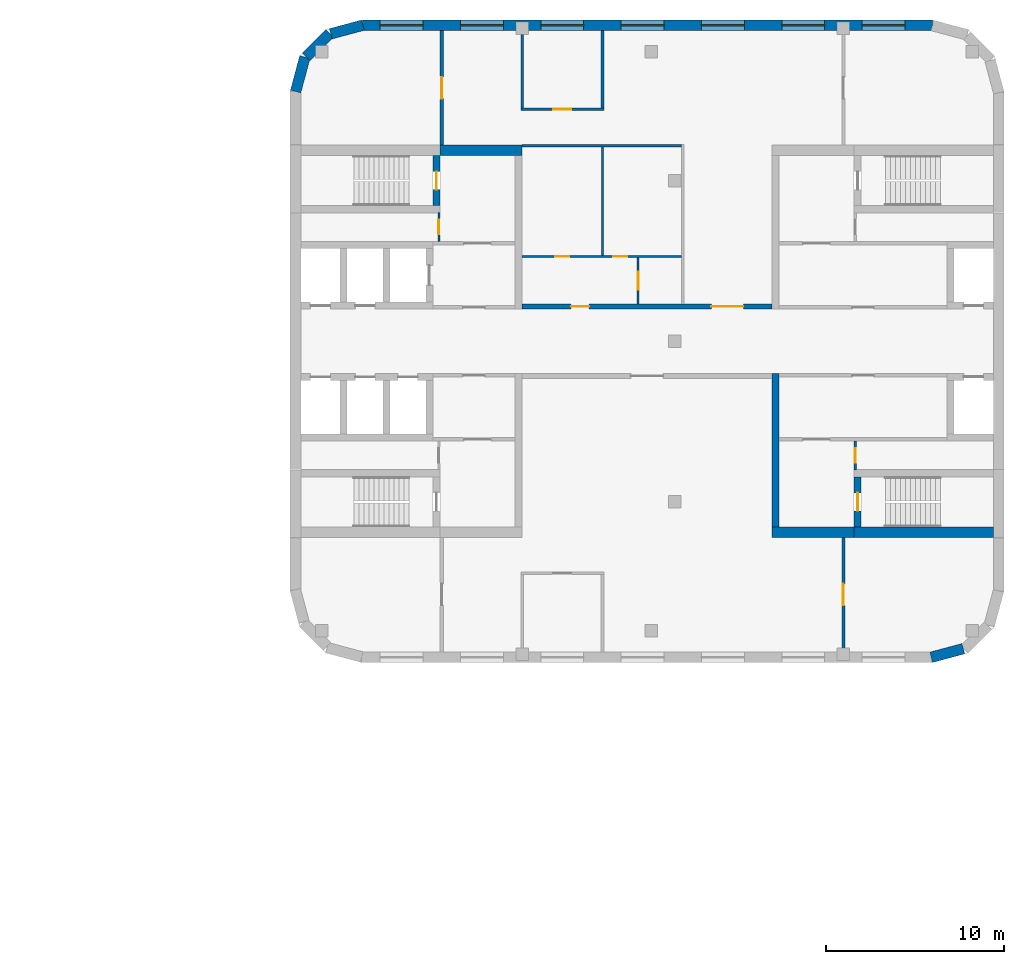
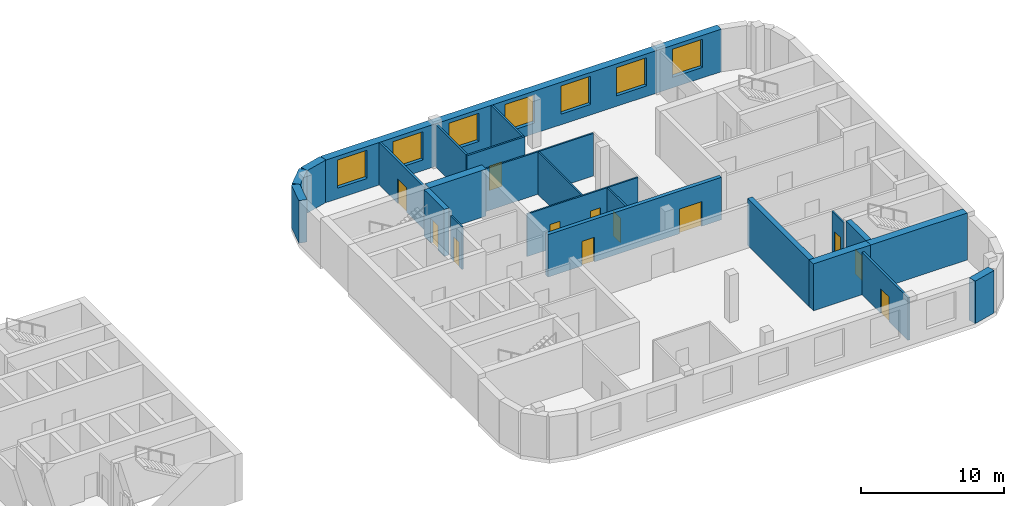
# One storey, part 8 of 12: 23 walls, 12 doors, 7 windows, 19 openings.
"""IFC4 building model written with IfcOpenShell, lengths in metres."""

from ifc_helpers import new_model, si_unit, direction, frame, frame_2d, origin, place, context, subcontext, project, spatial, rectangle, extrude, material, layer, layer_set, type_object, element, fill, save


model = new_model("IFC4")

# Units and contexts
model_context = context("Model", 3, precision=1e-05, world=origin(), true_north=direction((0.0, 1.0)))
body_context = subcontext(model_context, "Body", "Model", "MODEL_VIEW")
ifc_project = project(units=[si_unit("LENGTHUNIT", "METRE"), si_unit("AREAUNIT", "SQUARE_METRE"), si_unit("VOLUMEUNIT", "CUBIC_METRE"), si_unit("PLANEANGLEUNIT", "RADIAN"), si_unit("MASSUNIT", "GRAM", prefix="KILO")], contexts=[model_context])

# Site, building, storey
site_placement = place(None, origin())
site = spatial("IfcSite", under=ifc_project, at=site_placement, CompositionType="ELEMENT")
building_placement = place(site_placement, origin())
building = spatial("IfcBuilding", under=site, at=building_placement, Name="Skarvind Civic Tower", CompositionType="ELEMENT")
storey_placement = place(building_placement, frame((0.0, 0.0, 85.0)))
storey = spatial("IfcBuildingStorey", under=building, at=storey_placement, Name="L19", CompositionType="ELEMENT", Elevation=85.0)

# Wall, opening, door
ifc_material_1 = material(Name="Acoustic gypsum board on steel studs", Category="steel")
ifc_layer_1 = layer(ifc_material_1, 0.175048828125)
ifc_layer_set_1 = layer_set([ifc_layer_1], Name="ACOUSTIC MEETING-ROOM PARTITION 175")
wall_type_1 = type_object("IfcWallType", Name="ACOUSTIC MEETING-ROOM PARTITION 175", PredefinedType="PARTITIONING", material=ifc_layer_set_1)
wall_1_placement = place(storey_placement, frame((135.5, 145.39990234375, 0.0), z_axis=(0.0, 0.0, 1.0), x_axis=(0.0, -1.0, 0.0)))
wall_1 = element("IfcWall", 1, at=wall_1_placement, inside=storey, type_object=wall_type_1, Name="Partition 19.002", PredefinedType="PARTITIONING", context=body_context, shape_type="SweptSolid", body=[
    extrude(rectangle(XDim=6.39990234375, YDim=0.175048828125, at=frame_2d((3.199951171875, 0.0))), origin(), (0.0, 0.0, 1.0), 3.625),
])
opening_1_placement = place(wall_1_placement, frame((2.60009765625, 0.0, 0.0)))
opening_1 = element("IfcOpeningElement", 2, at=opening_1_placement, cuts=wall_1, Name="Opening L19-D107", PredefinedType="OPENING", context=body_context, shape_type="SweptSolid", body=[
    extrude(rectangle(XDim=1.199951171875, YDim=2.10009765625, at=frame_2d((0.60009765625, 1.050048828125))), frame((0.0, 0.097412109375, 0.0), z_axis=(0.0, -1.0, 0.0), x_axis=(1.0, 0.0, 0.0)), (0.0, 0.0, 1.0), 0.195068359375),
])
ifc_material_2 = material(Name="Timber door leaf", Category="wood")
door_type_1 = type_object("IfcDoorType", Name="DOOR 1200X2100 DOUBLE TIMBER", OperationType="NOTDEFINED", PredefinedType="DOOR", material=ifc_material_2)
door_1_placement = place(opening_1_placement, origin())
door_1 = element("IfcDoor", 3, at=door_1_placement, inside=storey, type_object=door_type_1, Name="Door L19-D107", OperationType="DOUBLE_DOOR_SINGLE_SWING", OverallHeight=2.10009765625, OverallWidth=1.199951171875, PredefinedType="DOOR", context=body_context, shape_type="SweptSolid", body=[
    extrude(rectangle(XDim=1.199951171875, YDim=2.10009765625, at=frame_2d((0.60009765625, 1.050048828125))), frame((0.0, 0.02490234375, 0.0), z_axis=(0.0, -1.0, 0.0), x_axis=(1.0, 0.0, 0.0)), (0.0, 0.0, 1.0), 0.050048828125),
])
fill(opening_1, door_1)

wall_2_placement = place(storey_placement, frame((158.0, 110.60009765625, 0.0), z_axis=(0.0, 0.0, 1.0), x_axis=(0.0, 1.0, 0.0)))
wall_2 = element("IfcWall", 4, at=wall_2_placement, inside=storey, type_object=wall_type_1, Name="Partition 19.016", PredefinedType="PARTITIONING", context=body_context, shape_type="SweptSolid", body=[
    extrude(rectangle(XDim=6.39990234375, YDim=0.175048828125, at=frame_2d((3.199951171875, 0.0))), origin(), (0.0, 0.0, 1.0), 3.625),
])
opening_2_placement = place(wall_2_placement, frame((2.60009765625, 0.0, 0.0)))
opening_2 = element("IfcOpeningElement", 5, at=opening_2_placement, cuts=wall_2, Name="Opening L19-D112", PredefinedType="OPENING", context=body_context, shape_type="SweptSolid", body=[
    extrude(rectangle(XDim=1.199951171875, YDim=2.10009765625, at=frame_2d((0.60009765625, 1.050048828125))), frame((0.0, 0.097412109375, 0.0), z_axis=(0.0, -1.0, 0.0), x_axis=(1.0, 0.0, 0.0)), (0.0, 0.0, 1.0), 0.195068359375),
])
door_2_placement = place(opening_2_placement, origin())
door_2 = element("IfcDoor", 6, at=door_2_placement, inside=storey, type_object=door_type_1, Name="Door L19-D112", OperationType="DOUBLE_DOOR_SINGLE_SWING", OverallHeight=2.10009765625, OverallWidth=1.199951171875, PredefinedType="DOOR", context=body_context, shape_type="SweptSolid", body=[
    extrude(rectangle(XDim=1.199951171875, YDim=2.10009765625, at=frame_2d((0.60009765625, 1.050048828125))), frame((0.0, 0.02490234375, 0.0), z_axis=(0.0, -1.0, 0.0), x_axis=(1.0, 0.0, 0.0)), (0.0, 0.0, 1.0), 0.050048828125),
])
fill(opening_2, door_2)

# Wall, openings, doors
ifc_material_3 = material(Name="Fire-rated gypsum board on steel studs", Category="steel")
ifc_layer_2 = layer(ifc_material_3, 0.300048828125)
ifc_layer_set_2 = layer_set([ifc_layer_2], Name="CORRIDOR WALL 300")
wall_type_2 = type_object("IfcWallType", Name="CORRIDOR WALL 300", PredefinedType="PARTITIONING", material=ifc_layer_set_2)
wall_3_placement = place(storey_placement, frame((140.0, 129.949951171875, 0.0), z_axis=(0.0, 0.0, 1.0), x_axis=(1.0, 0.0, 0.0)))
wall_3 = element("IfcWall", 7, at=wall_3_placement, inside=storey, type_object=wall_type_2, Name="Partition 19.005", PredefinedType="PARTITIONING", context=body_context, shape_type="SweptSolid", body=[
    extrude(rectangle(XDim=14.0, YDim=0.300048828125, at=frame_2d((7.0, 0.0))), origin(), (0.0, 0.0, 1.0), 3.625),
])
opening_3_placement = place(wall_3_placement, frame((2.75, 0.0, 0.0)))
opening_3 = element("IfcOpeningElement", 8, at=opening_3_placement, cuts=wall_3, Name="Opening L19-D101", PredefinedType="OPENING", context=body_context, shape_type="SweptSolid", body=[
    extrude(rectangle(XDim=1.0, YDim=2.10009765625, at=frame_2d((0.5, 1.050048828125))), frame((0.0, 0.159912109375, 0.0), z_axis=(0.0, -1.0, 0.0), x_axis=(1.0, 0.0, 0.0)), (0.0, 0.0, 1.0), 0.320068359375),
])
opening_4_placement = place(wall_3_placement, frame((10.60009765625, 0.0, 0.0)))
opening_4 = element("IfcOpeningElement", 9, at=opening_4_placement, cuts=wall_3, Name="Opening L19-D105", PredefinedType="OPENING", context=body_context, shape_type="SweptSolid", body=[
    extrude(rectangle(XDim=1.800048828125, YDim=2.10009765625, at=frame_2d((0.89990234375, 1.050048828125))), frame((0.0, 0.159912109375, 0.0), z_axis=(0.0, -1.0, 0.0), x_axis=(1.0, 0.0, 0.0)), (0.0, 0.0, 1.0), 0.320068359375),
])
ifc_material_4 = material(Name="Fire-rated timber door leaf", Category="wood")
door_type_2 = type_object("IfcDoorType", Name="FD1 1000x2100", OperationType="NOTDEFINED", PredefinedType="DOOR", material=ifc_material_4)
door_3_placement = place(opening_3_placement, origin())
door_3 = element("IfcDoor", 10, at=door_3_placement, inside=storey, type_object=door_type_2, Name="Door L19-D101", OperationType="SINGLE_SWING_LEFT", OverallHeight=2.10009765625, OverallWidth=1.0, PredefinedType="DOOR", context=body_context, shape_type="SweptSolid", body=[
    extrude(rectangle(XDim=1.0, YDim=2.10009765625, at=frame_2d((0.5, 1.050048828125))), frame((0.0, 0.02490234375, 0.0), z_axis=(0.0, -1.0, 0.0), x_axis=(1.0, 0.0, 0.0)), (0.0, 0.0, 1.0), 0.050048828125),
])
fill(opening_3, door_3)
door_type_3 = type_object("IfcDoorType", Name="FD4 1800x2100", OperationType="NOTDEFINED", PredefinedType="DOOR", material=ifc_material_4)
door_4_placement = place(opening_4_placement, origin())
door_4 = element("IfcDoor", 11, at=door_4_placement, inside=storey, type_object=door_type_3, Name="Door L19-D105", OperationType="DOUBLE_DOOR_SINGLE_SWING", OverallHeight=2.10009765625, OverallWidth=1.800048828125, PredefinedType="DOOR", context=body_context, shape_type="SweptSolid", body=[
    extrude(rectangle(XDim=1.800048828125, YDim=2.10009765625, at=frame_2d((0.89990234375, 1.050048828125))), frame((0.0, 0.02490234375, 0.0), z_axis=(0.0, -1.0, 0.0), x_axis=(1.0, 0.0, 0.0)), (0.0, 0.0, 1.0), 0.050048828125),
])
fill(opening_4, door_4)

# Wall, opening, door
ifc_material_5 = material(Name="Concrete C80", Category="concrete")
ifc_layer_3 = layer(ifc_material_5, 0.39990234375)
ifc_layer_set_3 = layer_set([ifc_layer_3], Name="Core wall 400 C80")
wall_type_3 = type_object("IfcWallType", Name="Core wall 400 C80", PredefinedType="SHEAR", material=ifc_layer_set_3)
wall_4_placement = place(storey_placement, frame((135.199951171875, 135.60009765625, 0.0), z_axis=(0.0, 0.0, 1.0), x_axis=(0.0, 1.0, 0.0)))
wall_4 = element("IfcWall", 12, at=wall_4_placement, inside=storey, type_object=wall_type_3, Name="Core wall CA north stair end L19", PredefinedType="SHEAR", context=body_context, shape_type="SweptSolid", body=[
    extrude(rectangle(XDim=2.7998046875, YDim=0.39990234375, at=frame_2d((1.39990234375, 0.0))), origin(), (0.0, 0.0, 1.0), 4.0),
])
opening_5_placement = place(wall_4_placement, frame((0.89990234375, 0.0, 0.0)))
opening_5 = element("IfcOpeningElement", 13, at=opening_5_placement, cuts=wall_4, Name="Opening D-L19-CA-08", PredefinedType="OPENING", context=body_context, shape_type="SweptSolid", body=[
    extrude(rectangle(XDim=1.0, YDim=2.10009765625, at=frame_2d((0.5, 1.050048828125))), frame((0.0, 0.2099609375, 0.0), z_axis=(0.0, -1.0, 0.0), x_axis=(1.0, 0.0, 0.0)), (0.0, 0.0, 1.0), 0.419921875),
])
ifc_material_6 = material(Name="Fire-rated steel door", Category="steel")
door_type_4 = type_object("IfcDoorType", Name="Fire door 1000", OperationType="NOTDEFINED", PredefinedType="DOOR", material=ifc_material_6)
door_5_placement = place(opening_5_placement, origin())
door_5 = element("IfcDoor", 14, at=door_5_placement, inside=storey, type_object=door_type_4, Name="Fire door", OperationType="SINGLE_SWING_LEFT", OverallHeight=2.10009765625, OverallWidth=1.0, PredefinedType="DOOR", context=body_context, shape_type="SweptSolid", body=[
    extrude(rectangle(XDim=1.0, YDim=2.10009765625, at=frame_2d((0.5, 1.050048828125))), frame((0.0, 0.02490234375, 0.0), z_axis=(0.0, -1.0, 0.0), x_axis=(1.0, 0.0, 0.0)), (0.0, 0.0, 1.0), 0.050048828125),
])
fill(opening_5, door_5)

wall_5_placement = place(storey_placement, frame((158.800048828125, 120.39990234375, 0.0), z_axis=(0.0, 0.0, 1.0), x_axis=(0.0, -1.0, 0.0)))
wall_5 = element("IfcWall", 15, at=wall_5_placement, inside=storey, type_object=wall_type_3, Name="Core wall CB north stair end L19", PredefinedType="SHEAR", context=body_context, shape_type="SweptSolid", body=[
    extrude(rectangle(XDim=2.7998046875, YDim=0.39990234375, at=frame_2d((1.39990234375, 0.0))), origin(), (0.0, 0.0, 1.0), 4.0),
])
opening_6_placement = place(wall_5_placement, frame((0.89990234375, 0.0, 0.0)))
opening_6 = element("IfcOpeningElement", 16, at=opening_6_placement, cuts=wall_5, Name="Opening D-L19-CB-05", PredefinedType="OPENING", context=body_context, shape_type="SweptSolid", body=[
    extrude(rectangle(XDim=1.0, YDim=2.10009765625, at=frame_2d((0.5, 1.050048828125))), frame((0.0, 0.2099609375, 0.0), z_axis=(0.0, -1.0, 0.0), x_axis=(1.0, 0.0, 0.0)), (0.0, 0.0, 1.0), 0.419921875),
])
door_6_placement = place(opening_6_placement, origin())
door_6 = element("IfcDoor", 17, at=door_6_placement, inside=storey, type_object=door_type_4, Name="Fire door", OperationType="SINGLE_SWING_LEFT", OverallHeight=2.10009765625, OverallWidth=1.0, PredefinedType="DOOR", context=body_context, shape_type="SweptSolid", body=[
    extrude(rectangle(XDim=1.0, YDim=2.10009765625, at=frame_2d((0.5, 1.050048828125))), frame((0.0, 0.02490234375, 0.0), z_axis=(0.0, -1.0, 0.0), x_axis=(1.0, 0.0, 0.0)), (0.0, 0.0, 1.0), 0.050048828125),
])
fill(opening_6, door_6)

# Walls
wall_6_placement = place(storey_placement, frame((154.199951171875, 126.199951171875, 0.0), z_axis=(0.0, 0.0, 1.0), x_axis=(0.0, -1.0, 0.0)))
element("IfcWall", 18, at=wall_6_placement, inside=storey, type_object=wall_type_3, Name="Core wall CB north inner face L19", PredefinedType="SHEAR", context=body_context, shape_type="SweptSolid", body=[
    extrude(rectangle(XDim=8.599853515625, YDim=0.39990234375, at=frame_2d((4.2998046875, 0.0))), origin(), (0.0, 0.0, 1.0), 4.0),
])
ifc_layer_4 = layer(ifc_material_5, 0.60009765625)
ifc_layer_set_4 = layer_set([ifc_layer_4], Name="Core wall 600 C80")
wall_type_4 = type_object("IfcWallType", Name="Core wall 600 C80", PredefinedType="SHEAR", material=ifc_layer_set_4)
wall_7_placement = place(storey_placement, frame((135.39990234375, 138.699951171875, 0.0), z_axis=(0.0, 0.0, 1.0), x_axis=(1.0, 0.0, 0.0)))
element("IfcWall", 19, at=wall_7_placement, inside=storey, type_object=wall_type_4, Name="Core wall CA north side L19", PredefinedType="SHEAR", context=body_context, shape_type="SweptSolid", body=[
    extrude(rectangle(XDim=4.60009765625, YDim=0.60009765625, at=frame_2d((2.300048828125, 0.0))), origin(), (0.0, 0.0, 1.0), 4.0),
])
wall_8_placement = place(storey_placement, frame((166.39990234375, 117.300048828125, 0.0), z_axis=(0.0, 0.0, 1.0), x_axis=(-1.0, 0.0, 0.0)))
element("IfcWall", 20, at=wall_8_placement, inside=storey, type_object=wall_type_4, Name="Core wall CB north side at the stair L19", PredefinedType="SHEAR", context=body_context, shape_type="SweptSolid", body=[
    extrude(rectangle(XDim=7.7998046875, YDim=0.60009765625, at=frame_2d((3.89990234375, 0.0))), origin(), (0.0, 0.0, 1.0), 4.0),
])
wall_9_placement = place(storey_placement, frame((158.60009765625, 117.300048828125, 0.0), z_axis=(0.0, 0.0, 1.0), x_axis=(-1.0, 0.0, 0.0)))
element("IfcWall", 21, at=wall_9_placement, inside=storey, type_object=wall_type_4, Name="Core wall CB north side L19", PredefinedType="SHEAR", context=body_context, shape_type="SweptSolid", body=[
    extrude(rectangle(XDim=4.60009765625, YDim=0.60009765625, at=frame_2d((2.300048828125, 0.0))), origin(), (0.0, 0.0, 1.0), 4.0),
])
ifc_material_7 = material(Name="Plasterboard partition on steel studs", Category="steel")
ifc_layer_5 = layer(ifc_material_7, 0.14990234375)
ifc_layer_set_5 = layer_set([ifc_layer_5], Name="PARTITION 150")
wall_type_5 = type_object("IfcWallType", Name="PARTITION 150", PredefinedType="PARTITIONING", material=ifc_layer_set_5)
wall_10_placement = place(storey_placement, frame((140.0, 141.074951171875, 0.0), z_axis=(0.0, 0.0, 1.0), x_axis=(0.0, 1.0, 0.0)))
element("IfcWall", 22, at=wall_10_placement, inside=storey, type_object=wall_type_5, Name="Partition 19.008", PredefinedType="PARTITIONING", context=body_context, shape_type="SweptSolid", body=[
    extrude(rectangle(XDim=4.324951171875, YDim=0.14990234375, at=frame_2d((2.16259765625, 0.0))), origin(), (0.0, 0.0, 1.0), 3.625),
])

# Wall, opening, door
wall_11_placement = place(storey_placement, frame((144.574951171875, 141.0, 0.0), z_axis=(0.0, 0.0, 1.0), x_axis=(-1.0, 0.0, 0.0)))
wall_11 = element("IfcWall", 23, at=wall_11_placement, inside=storey, type_object=wall_type_5, Name="Partition 19.011", PredefinedType="PARTITIONING", context=body_context, shape_type="SweptSolid", body=[
    extrude(rectangle(XDim=4.64990234375, YDim=0.14990234375, at=frame_2d((2.324951171875, 0.0))), origin(), (0.0, 0.0, 1.0), 3.625),
])
opening_7_placement = place(wall_11_placement, frame((1.824951171875, 0.0, 0.0)))
opening_7 = element("IfcOpeningElement", 24, at=opening_7_placement, cuts=wall_11, Name="Opening L19-D106", PredefinedType="OPENING", context=body_context, shape_type="SweptSolid", body=[
    extrude(rectangle(XDim=1.0, YDim=2.10009765625, at=frame_2d((0.5, 1.050048828125))), frame((0.0, 0.0849609375, 0.0), z_axis=(0.0, -1.0, 0.0), x_axis=(1.0, 0.0, 0.0)), (0.0, 0.0, 1.0), 0.169921875),
])
door_type_5 = type_object("IfcDoorType", Name="D1 1000x2100", OperationType="NOTDEFINED", PredefinedType="DOOR", material=ifc_material_2)
door_7_placement = place(opening_7_placement, origin())
door_7 = element("IfcDoor", 25, at=door_7_placement, inside=storey, type_object=door_type_5, Name="Door L19-D106", OperationType="SINGLE_SWING_LEFT", OverallHeight=2.10009765625, OverallWidth=1.0, PredefinedType="DOOR", context=body_context, shape_type="SweptSolid", body=[
    extrude(rectangle(XDim=1.0, YDim=2.10009765625, at=frame_2d((0.5, 1.050048828125))), frame((0.0, 0.02490234375, 0.0), z_axis=(0.0, -1.0, 0.0), x_axis=(1.0, 0.0, 0.0)), (0.0, 0.0, 1.0), 0.050048828125),
])
fill(opening_7, door_7)

# Wall
wall_12_placement = place(storey_placement, frame((144.5, 145.39990234375, 0.0), z_axis=(0.0, 0.0, 1.0), x_axis=(0.0, -1.0, 0.0)))
element("IfcWall", 26, at=wall_12_placement, inside=storey, type_object=wall_type_5, Name="Partition 19.012", PredefinedType="PARTITIONING", context=body_context, shape_type="SweptSolid", body=[
    extrude(rectangle(XDim=4.324951171875, YDim=0.14990234375, at=frame_2d((2.16259765625, 0.0))), origin(), (0.0, 0.0, 1.0), 3.625),
])

# Wall, opening, door
ifc_material_8 = material(Name="Fire-rated masonry partition", Category="masonry")
ifc_layer_6 = layer(ifc_material_8, 0.125)
ifc_layer_set_6 = layer_set([ifc_layer_6], Name="Riser wall 125")
wall_type_6 = type_object("IfcWallType", Name="Riser wall 125", PredefinedType="PARTITIONING", material=ifc_layer_set_6)
wall_13_placement = place(storey_placement, frame((135.33740234375, 135.199951171875, 0.0), z_axis=(0.0, 0.0, 1.0), x_axis=(0.0, -1.0, 0.0)))
wall_13 = element("IfcWall", 27, at=wall_13_placement, inside=storey, type_object=wall_type_6, Name="Core wall CA", PredefinedType="PARTITIONING", context=body_context, shape_type="SweptSolid", body=[
    extrude(rectangle(XDim=1.599853515625, YDim=0.125, at=frame_2d((0.7998046875, 0.0))), origin(), (0.0, 0.0, 1.0), 3.625),
])
opening_8_placement = place(wall_13_placement, frame((0.39990234375, 0.0, 0.0)))
opening_8 = element("IfcOpeningElement", 28, at=opening_8_placement, cuts=wall_13, Name="Opening D-L19-CA-09", PredefinedType="OPENING", context=body_context, shape_type="SweptSolid", body=[
    extrude(rectangle(XDim=0.800048828125, YDim=2.10009765625, at=frame_2d((0.39990234375, 1.050048828125))), frame((0.0, 0.072509765625, 0.0), z_axis=(0.0, -1.0, 0.0), x_axis=(1.0, 0.0, 0.0)), (0.0, 0.0, 1.0), 0.14501953125),
])
door_type_6 = type_object("IfcDoorType", Name="Core riser door 800", OperationType="NOTDEFINED", PredefinedType="DOOR", material=ifc_material_6)
door_8_placement = place(opening_8_placement, origin())
door_8 = element("IfcDoor", 29, at=door_8_placement, inside=storey, type_object=door_type_6, Name="Riser door", OperationType="SINGLE_SWING_RIGHT", OverallHeight=2.10009765625, OverallWidth=0.800048828125, PredefinedType="DOOR", context=body_context, shape_type="SweptSolid", body=[
    extrude(rectangle(XDim=0.800048828125, YDim=2.10009765625, at=frame_2d((0.39990234375, 1.050048828125))), frame((0.0, 0.02490234375, 0.0), z_axis=(0.0, -1.0, 0.0), x_axis=(1.0, 0.0, 0.0)), (0.0, 0.0, 1.0), 0.050048828125),
])
fill(opening_8, door_8)

wall_14_placement = place(storey_placement, frame((158.66259765625, 120.800048828125, 0.0), z_axis=(0.0, 0.0, 1.0), x_axis=(0.0, 1.0, 0.0)))
wall_14 = element("IfcWall", 30, at=wall_14_placement, inside=storey, type_object=wall_type_6, Name="Core wall CB", PredefinedType="PARTITIONING", context=body_context, shape_type="SweptSolid", body=[
    extrude(rectangle(XDim=1.599853515625, YDim=0.125, at=frame_2d((0.7998046875, 0.0))), origin(), (0.0, 0.0, 1.0), 3.625),
])
opening_9_placement = place(wall_14_placement, frame((0.39990234375, 0.0, 0.0)))
opening_9 = element("IfcOpeningElement", 31, at=opening_9_placement, cuts=wall_14, Name="Opening D-L19-CB-06", PredefinedType="OPENING", context=body_context, shape_type="SweptSolid", body=[
    extrude(rectangle(XDim=0.800048828125, YDim=2.10009765625, at=frame_2d((0.39990234375, 1.050048828125))), frame((0.0, 0.072509765625, 0.0), z_axis=(0.0, -1.0, 0.0), x_axis=(1.0, 0.0, 0.0)), (0.0, 0.0, 1.0), 0.14501953125),
])
door_9_placement = place(opening_9_placement, origin())
door_9 = element("IfcDoor", 32, at=door_9_placement, inside=storey, type_object=door_type_6, Name="Riser door", OperationType="SINGLE_SWING_RIGHT", OverallHeight=2.10009765625, OverallWidth=0.800048828125, PredefinedType="DOOR", context=body_context, shape_type="SweptSolid", body=[
    extrude(rectangle(XDim=0.800048828125, YDim=2.10009765625, at=frame_2d((0.39990234375, 1.050048828125))), frame((0.0, 0.02490234375, 0.0), z_axis=(0.0, -1.0, 0.0), x_axis=(1.0, 0.0, 0.0)), (0.0, 0.0, 1.0), 0.050048828125),
])
fill(opening_9, door_9)

# Wall, openings, doors
ifc_material_9 = material(Name="Moisture-resistant gypsum board on steel studs", Category="steel")
ifc_layer_7 = layer(ifc_material_9, 0.125)
ifc_layer_set_7 = layer_set([ifc_layer_7], Name="WC PARTITION 125")
wall_type_7 = type_object("IfcWallType", Name="WC PARTITION 125", PredefinedType="PARTITIONING", material=ifc_layer_set_7)
wall_15_placement = place(storey_placement, frame((140.0, 132.75, 0.0), z_axis=(0.0, 0.0, 1.0), x_axis=(1.0, 0.0, 0.0)))
wall_15 = element("IfcWall", 33, at=wall_15_placement, inside=storey, type_object=wall_type_7, Name="Partition 19.006", PredefinedType="PARTITIONING", context=body_context, shape_type="SweptSolid", body=[
    extrude(rectangle(XDim=8.93798828125, YDim=0.125, at=frame_2d((4.468994140625, 0.0))), origin(), (0.0, 0.0, 1.0), 3.625),
])
opening_10_placement = place(wall_15_placement, frame((1.85009765625, 0.0, 0.0)))
opening_10 = element("IfcOpeningElement", 34, at=opening_10_placement, cuts=wall_15, Name="Opening L19-D103", PredefinedType="OPENING", context=body_context, shape_type="SweptSolid", body=[
    extrude(rectangle(XDim=0.800048828125, YDim=2.10009765625, at=frame_2d((0.39990234375, 1.050048828125))), frame((0.0, 0.072509765625, 0.0), z_axis=(0.0, -1.0, 0.0), x_axis=(1.0, 0.0, 0.0)), (0.0, 0.0, 1.0), 0.14501953125),
])
opening_11_placement = place(wall_15_placement, frame((5.1015625, 0.0, 0.0)))
opening_11 = element("IfcOpeningElement", 35, at=opening_11_placement, cuts=wall_15, Name="Opening L19-D104", PredefinedType="OPENING", context=body_context, shape_type="SweptSolid", body=[
    extrude(rectangle(XDim=0.800048828125, YDim=2.10009765625, at=frame_2d((0.39990234375, 1.050048828125))), frame((0.0, 0.072509765625, 0.0), z_axis=(0.0, -1.0, 0.0), x_axis=(1.0, 0.0, 0.0)), (0.0, 0.0, 1.0), 0.14501953125),
])
door_type_7 = type_object("IfcDoorType", Name="DOOR 800X2100 TIMBER", OperationType="NOTDEFINED", PredefinedType="DOOR", material=ifc_material_2)
door_10_placement = place(opening_10_placement, origin())
door_10 = element("IfcDoor", 36, at=door_10_placement, inside=storey, type_object=door_type_7, Name="Door L19-D103", OperationType="SINGLE_SWING_LEFT", OverallHeight=2.10009765625, OverallWidth=0.800048828125, PredefinedType="DOOR", context=body_context, shape_type="SweptSolid", body=[
    extrude(rectangle(XDim=0.800048828125, YDim=2.10009765625, at=frame_2d((0.39990234375, 1.050048828125))), frame((0.0, 0.02490234375, 0.0), z_axis=(0.0, -1.0, 0.0), x_axis=(1.0, 0.0, 0.0)), (0.0, 0.0, 1.0), 0.050048828125),
])
fill(opening_10, door_10)
door_11_placement = place(opening_11_placement, origin())
door_11 = element("IfcDoor", 37, at=door_11_placement, inside=storey, type_object=door_type_7, Name="Door L19-D104", OperationType="SINGLE_SWING_LEFT", OverallHeight=2.10009765625, OverallWidth=0.800048828125, PredefinedType="DOOR", context=body_context, shape_type="SweptSolid", body=[
    extrude(rectangle(XDim=0.800048828125, YDim=2.10009765625, at=frame_2d((0.39990234375, 1.050048828125))), frame((0.0, 0.02490234375, 0.0), z_axis=(0.0, -1.0, 0.0), x_axis=(1.0, 0.0, 0.0)), (0.0, 0.0, 1.0), 0.050048828125),
])
fill(opening_11, door_11)

# Walls
wall_16_placement = place(storey_placement, frame((140.0, 138.949951171875, 0.0), z_axis=(0.0, 0.0, 1.0), x_axis=(1.0, 0.0, 0.0)))
element("IfcWall", 38, at=wall_16_placement, inside=storey, type_object=wall_type_7, Name="Partition 19.007", PredefinedType="PARTITIONING", context=body_context, shape_type="SweptSolid", body=[
    extrude(rectangle(XDim=8.93798828125, YDim=0.125, at=frame_2d((4.468994140625, 0.0))), origin(), (0.0, 0.0, 1.0), 3.625),
])
wall_17_placement = place(storey_placement, frame((144.5, 132.81201171875, 0.0), z_axis=(0.0, 0.0, 1.0), x_axis=(0.0, 1.0, 0.0)))
element("IfcWall", 39, at=wall_17_placement, inside=storey, type_object=wall_type_7, Name="Partition 19.010", PredefinedType="PARTITIONING", context=body_context, shape_type="SweptSolid", body=[
    extrude(rectangle(XDim=6.075927734375, YDim=0.125, at=frame_2d((3.0380859375, 0.0))), origin(), (0.0, 0.0, 1.0), 3.625),
])

# Wall, opening, door
wall_18_placement = place(storey_placement, frame((146.5, 132.68798828125, 0.0), z_axis=(0.0, 0.0, 1.0), x_axis=(0.0, -1.0, 0.0)))
wall_18 = element("IfcWall", 40, at=wall_18_placement, inside=storey, type_object=wall_type_7, Name="Partition 19.013", PredefinedType="PARTITIONING", context=body_context, shape_type="SweptSolid", body=[
    extrude(rectangle(XDim=2.587890625, YDim=0.125, at=frame_2d((1.2939453125, 0.0))), origin(), (0.0, 0.0, 1.0), 3.625),
])
opening_12_placement = place(wall_18_placement, frame((0.7939453125, 0.0, 0.0)))
opening_12 = element("IfcOpeningElement", 41, at=opening_12_placement, cuts=wall_18, Name="Opening L19-D102", PredefinedType="OPENING", context=body_context, shape_type="SweptSolid", body=[
    extrude(rectangle(XDim=1.0, YDim=2.10009765625, at=frame_2d((0.5, 1.050048828125))), frame((0.0, 0.072509765625, 0.0), z_axis=(0.0, -1.0, 0.0), x_axis=(1.0, 0.0, 0.0)), (0.0, 0.0, 1.0), 0.14501953125),
])
door_12_placement = place(opening_12_placement, origin())
door_12 = element("IfcDoor", 42, at=door_12_placement, inside=storey, type_object=door_type_5, Name="Door L19-D102", OperationType="SINGLE_SWING_RIGHT", OverallHeight=2.10009765625, OverallWidth=1.0, PredefinedType="DOOR", context=body_context, shape_type="SweptSolid", body=[
    extrude(rectangle(XDim=1.0, YDim=2.10009765625, at=frame_2d((0.5, 1.050048828125))), frame((0.0, 0.02490234375, 0.0), z_axis=(0.0, -1.0, 0.0), x_axis=(1.0, 0.0, 0.0)), (0.0, 0.0, 1.0), 0.050048828125),
])
fill(opening_12, door_12)

# Wall, openings, windows
ifc_material_10 = material(Name="Limestone masonry cladding on insulated backing", Category="masonry")
ifc_layer_8 = layer(ifc_material_10, 0.60009765625)
ifc_layer_set_8 = layer_set([ifc_layer_8], Name="WX1 STONE FACADE WALL 600")
wall_type_8 = type_object("IfcWallType", Name="WX1 STONE FACADE WALL 600", PredefinedType="SOLIDWALL", material=ifc_layer_set_8)
wall_19_placement = place(storey_placement, frame((131.070068359375, 145.699951171875, 0.0), z_axis=(0.0, 0.0, 1.0), x_axis=(1.0, 0.0, 0.0)))
wall_19 = element("IfcWall", 43, at=wall_19_placement, inside=storey, type_object=wall_type_8, Name="STONE FACADE WALL", PredefinedType="SOLIDWALL", context=body_context, shape_type="SweptSolid", body=[
    extrude(rectangle(XDim=31.929931640625, YDim=0.60009765625, at=frame_2d((15.96484375, 0.0))), origin(), (0.0, 0.0, 1.0), 3.625),
])
opening_13_placement = place(wall_19_placement, frame((0.97998046875, 0.0, 0.89990234375)))
opening_13 = element("IfcOpeningElement", 44, at=opening_13_placement, cuts=wall_19, Name="Opening WN9", PredefinedType="OPENING", context=body_context, shape_type="SweptSolid", body=[
    extrude(rectangle(XDim=2.39990234375, YDim=2.39990234375, at=frame_2d((1.199951171875, 1.199951171875))), frame((0.0, 0.31005859375, 0.0), z_axis=(0.0, -1.0, 0.0), x_axis=(1.0, 0.0, 0.0)), (0.0, 0.0, 1.0), 0.6201171875),
])
opening_14_placement = place(wall_19_placement, frame((5.47998046875, 0.0, 0.89990234375)))
opening_14 = element("IfcOpeningElement", 45, at=opening_14_placement, cuts=wall_19, Name="Opening WN9", PredefinedType="OPENING", context=body_context, shape_type="SweptSolid", body=[
    extrude(rectangle(XDim=2.39990234375, YDim=2.39990234375, at=frame_2d((1.199951171875, 1.199951171875))), frame((0.0, 0.31005859375, 0.0), z_axis=(0.0, -1.0, 0.0), x_axis=(1.0, 0.0, 0.0)), (0.0, 0.0, 1.0), 0.6201171875),
])
opening_15_placement = place(wall_19_placement, frame((9.97998046875, 0.0, 0.89990234375)))
opening_15 = element("IfcOpeningElement", 46, at=opening_15_placement, cuts=wall_19, Name="Opening WN9", PredefinedType="OPENING", context=body_context, shape_type="SweptSolid", body=[
    extrude(rectangle(XDim=2.39990234375, YDim=2.39990234375, at=frame_2d((1.199951171875, 1.199951171875))), frame((0.0, 0.31005859375, 0.0), z_axis=(0.0, -1.0, 0.0), x_axis=(1.0, 0.0, 0.0)), (0.0, 0.0, 1.0), 0.6201171875),
])
opening_16_placement = place(wall_19_placement, frame((14.47998046875, 0.0, 0.89990234375)))
opening_16 = element("IfcOpeningElement", 47, at=opening_16_placement, cuts=wall_19, Name="Opening WN9", PredefinedType="OPENING", context=body_context, shape_type="SweptSolid", body=[
    extrude(rectangle(XDim=2.39990234375, YDim=2.39990234375, at=frame_2d((1.199951171875, 1.199951171875))), frame((0.0, 0.31005859375, 0.0), z_axis=(0.0, -1.0, 0.0), x_axis=(1.0, 0.0, 0.0)), (0.0, 0.0, 1.0), 0.6201171875),
])
opening_17_placement = place(wall_19_placement, frame((18.97998046875, 0.0, 0.89990234375)))
opening_17 = element("IfcOpeningElement", 48, at=opening_17_placement, cuts=wall_19, Name="Opening WN9", PredefinedType="OPENING", context=body_context, shape_type="SweptSolid", body=[
    extrude(rectangle(XDim=2.39990234375, YDim=2.39990234375, at=frame_2d((1.199951171875, 1.199951171875))), frame((0.0, 0.31005859375, 0.0), z_axis=(0.0, -1.0, 0.0), x_axis=(1.0, 0.0, 0.0)), (0.0, 0.0, 1.0), 0.6201171875),
])
opening_18_placement = place(wall_19_placement, frame((23.47998046875, 0.0, 0.89990234375)))
opening_18 = element("IfcOpeningElement", 49, at=opening_18_placement, cuts=wall_19, Name="Opening WN9", PredefinedType="OPENING", context=body_context, shape_type="SweptSolid", body=[
    extrude(rectangle(XDim=2.39990234375, YDim=2.39990234375, at=frame_2d((1.199951171875, 1.199951171875))), frame((0.0, 0.31005859375, 0.0), z_axis=(0.0, -1.0, 0.0), x_axis=(1.0, 0.0, 0.0)), (0.0, 0.0, 1.0), 0.6201171875),
])
opening_19_placement = place(wall_19_placement, frame((27.97998046875, 0.0, 0.89990234375)))
opening_19 = element("IfcOpeningElement", 50, at=opening_19_placement, cuts=wall_19, Name="Opening WN9", PredefinedType="OPENING", context=body_context, shape_type="SweptSolid", body=[
    extrude(rectangle(XDim=2.39990234375, YDim=2.39990234375, at=frame_2d((1.199951171875, 1.199951171875))), frame((0.0, 0.31005859375, 0.0), z_axis=(0.0, -1.0, 0.0), x_axis=(1.0, 0.0, 0.0)), (0.0, 0.0, 1.0), 0.6201171875),
])
ifc_material_11 = material(Name="Timber frame, double glazing, timber-lined reveal", Category="wood")
window_type = type_object("IfcWindowType", Name="WN9 COMPANION TOWER WINDOW 2400 x 2400", PartitioningType="SINGLE_PANEL", PredefinedType="WINDOW", material=ifc_material_11)
window_1_placement = place(opening_13_placement, origin())
window_1 = element("IfcWindow", 51, at=window_1_placement, inside=storey, type_object=window_type, Name="WN9 WINDOW", OverallHeight=2.39990234375, OverallWidth=2.39990234375, PartitioningType="SINGLE_PANEL", PredefinedType="WINDOW", context=body_context, shape_type="SweptSolid", body=[
    extrude(rectangle(XDim=2.39990234375, YDim=2.39990234375, at=frame_2d((1.199951171875, 1.199951171875))), frame((0.0, 0.030029296875, 0.0), z_axis=(0.0, -1.0, 0.0), x_axis=(1.0, 0.0, 0.0)), (0.0, 0.0, 1.0), 0.06005859375),
])
fill(opening_13, window_1)
window_2_placement = place(opening_14_placement, origin())
window_2 = element("IfcWindow", 52, at=window_2_placement, inside=storey, type_object=window_type, Name="WN9 WINDOW", OverallHeight=2.39990234375, OverallWidth=2.39990234375, PartitioningType="SINGLE_PANEL", PredefinedType="WINDOW", context=body_context, shape_type="SweptSolid", body=[
    extrude(rectangle(XDim=2.39990234375, YDim=2.39990234375, at=frame_2d((1.199951171875, 1.199951171875))), frame((0.0, 0.030029296875, 0.0), z_axis=(0.0, -1.0, 0.0), x_axis=(1.0, 0.0, 0.0)), (0.0, 0.0, 1.0), 0.06005859375),
])
fill(opening_14, window_2)
window_3_placement = place(opening_15_placement, origin())
window_3 = element("IfcWindow", 53, at=window_3_placement, inside=storey, type_object=window_type, Name="WN9 WINDOW", OverallHeight=2.39990234375, OverallWidth=2.39990234375, PartitioningType="SINGLE_PANEL", PredefinedType="WINDOW", context=body_context, shape_type="SweptSolid", body=[
    extrude(rectangle(XDim=2.39990234375, YDim=2.39990234375, at=frame_2d((1.199951171875, 1.199951171875))), frame((0.0, 0.030029296875, 0.0), z_axis=(0.0, -1.0, 0.0), x_axis=(1.0, 0.0, 0.0)), (0.0, 0.0, 1.0), 0.06005859375),
])
fill(opening_15, window_3)
window_4_placement = place(opening_16_placement, origin())
window_4 = element("IfcWindow", 54, at=window_4_placement, inside=storey, type_object=window_type, Name="WN9 WINDOW", OverallHeight=2.39990234375, OverallWidth=2.39990234375, PartitioningType="SINGLE_PANEL", PredefinedType="WINDOW", context=body_context, shape_type="SweptSolid", body=[
    extrude(rectangle(XDim=2.39990234375, YDim=2.39990234375, at=frame_2d((1.199951171875, 1.199951171875))), frame((0.0, 0.030029296875, 0.0), z_axis=(0.0, -1.0, 0.0), x_axis=(1.0, 0.0, 0.0)), (0.0, 0.0, 1.0), 0.06005859375),
])
fill(opening_16, window_4)
window_5_placement = place(opening_17_placement, origin())
window_5 = element("IfcWindow", 55, at=window_5_placement, inside=storey, type_object=window_type, Name="WN9 WINDOW", OverallHeight=2.39990234375, OverallWidth=2.39990234375, PartitioningType="SINGLE_PANEL", PredefinedType="WINDOW", context=body_context, shape_type="SweptSolid", body=[
    extrude(rectangle(XDim=2.39990234375, YDim=2.39990234375, at=frame_2d((1.199951171875, 1.199951171875))), frame((0.0, 0.030029296875, 0.0), z_axis=(0.0, -1.0, 0.0), x_axis=(1.0, 0.0, 0.0)), (0.0, 0.0, 1.0), 0.06005859375),
])
fill(opening_17, window_5)
window_6_placement = place(opening_18_placement, origin())
window_6 = element("IfcWindow", 56, at=window_6_placement, inside=storey, type_object=window_type, Name="WN9 WINDOW", OverallHeight=2.39990234375, OverallWidth=2.39990234375, PartitioningType="SINGLE_PANEL", PredefinedType="WINDOW", context=body_context, shape_type="SweptSolid", body=[
    extrude(rectangle(XDim=2.39990234375, YDim=2.39990234375, at=frame_2d((1.199951171875, 1.199951171875))), frame((0.0, 0.030029296875, 0.0), z_axis=(0.0, -1.0, 0.0), x_axis=(1.0, 0.0, 0.0)), (0.0, 0.0, 1.0), 0.06005859375),
])
fill(opening_18, window_6)
window_7_placement = place(opening_19_placement, origin())
window_7 = element("IfcWindow", 57, at=window_7_placement, inside=storey, type_object=window_type, Name="WN9 WINDOW", OverallHeight=2.39990234375, OverallWidth=2.39990234375, PartitioningType="SINGLE_PANEL", PredefinedType="WINDOW", context=body_context, shape_type="SweptSolid", body=[
    extrude(rectangle(XDim=2.39990234375, YDim=2.39990234375, at=frame_2d((1.199951171875, 1.199951171875))), frame((0.0, 0.030029296875, 0.0), z_axis=(0.0, -1.0, 0.0), x_axis=(1.0, 0.0, 0.0)), (0.0, 0.0, 1.0), 0.06005859375),
])
fill(opening_19, window_7)

# Walls
for number, where, z_axis, x_axis, name in (
    (58, (129.280517578125, 145.228759765625, 0.0), (0.0, 0.0, 1.0), (0.965938094805, 0.258773254036, 0.0), "STONE FACADE WALL"),
    (59, (127.896484375, 143.936279296875, 0.0), (0.0, 0.0, 1.0), (0.707106781187, 0.707106781187, 0.0), "STONE FACADE WALL"),
):
    element("IfcWall", number, at=place(storey_placement, frame(where, z_axis=z_axis, x_axis=x_axis)), inside=storey, type_object=wall_type_8, Name=name, PredefinedType="SOLIDWALL", context=body_context, shape_type="SweptSolid", body=[
        extrude(rectangle(XDim=1.860595703125, YDim=0.60009765625, at=frame_2d((0.93017578125, 0.0))), origin(), (0.0, 0.0, 1.0), 3.625),
    ])
wall_20_placement = place(storey_placement, frame((127.307861328125, 141.989990234375, 0.0), z_axis=(0.0, 0.0, 1.0), x_axis=(0.258839784042, 0.965920269068, 0.0)))
element("IfcWall", 60, at=wall_20_placement, inside=storey, type_object=wall_type_8, Name="STONE FACADE WALL", PredefinedType="SOLIDWALL", context=body_context, shape_type="SweptSolid", body=[
    extrude(rectangle(XDim=2.00048828125, YDim=0.60009765625, at=frame_2d((1.000244140625, 0.0))), origin(), (0.0, 0.0, 1.0), 3.625),
])
wall_21_placement = place(storey_placement, frame((164.719482421875, 110.771240234375, 0.0), z_axis=(0.0, 0.0, 1.0), x_axis=(-0.965938094805, -0.258773254036, 0.0)))
element("IfcWall", 61, at=wall_21_placement, inside=storey, type_object=wall_type_8, Name="STONE FACADE WALL", PredefinedType="SOLIDWALL", context=body_context, shape_type="SweptSolid", body=[
    extrude(rectangle(XDim=1.860595703125, YDim=0.60009765625, at=frame_2d((0.93017578125, 0.0))), origin(), (0.0, 0.0, 1.0), 3.625),
])

save(model, "model.ifc")
